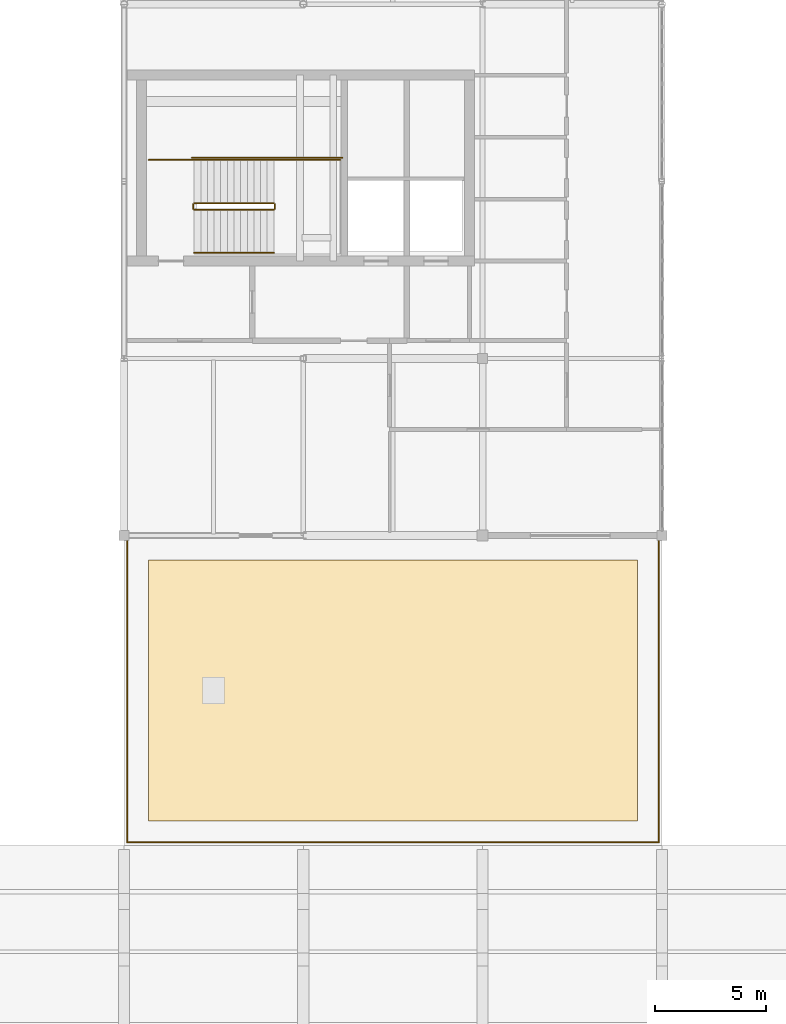
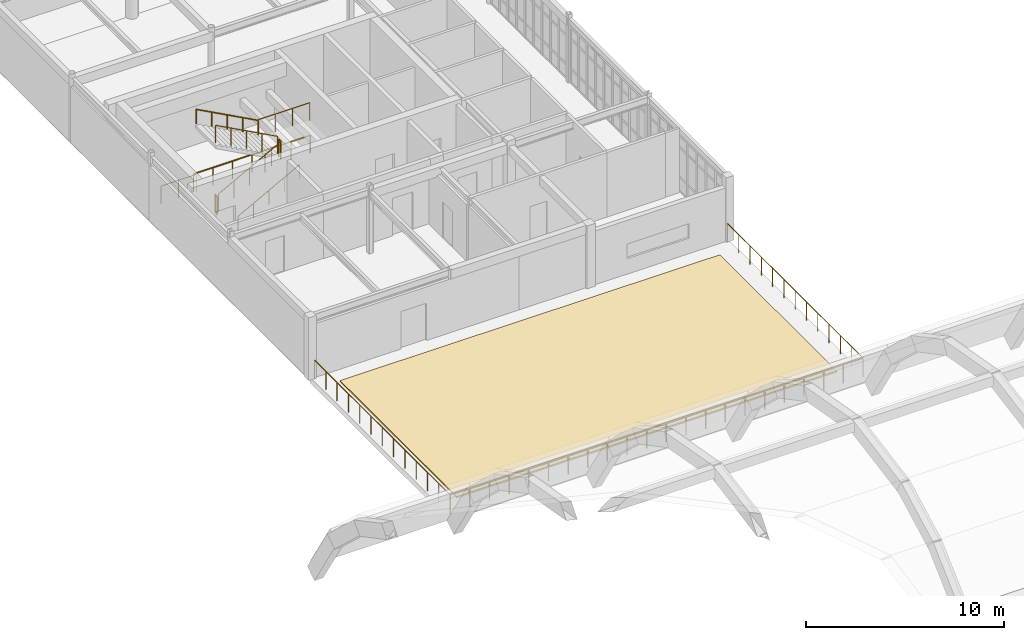
# One storey, part 34 of 36: 12 railings, 1 covering.
"""IFC4 building model written with IfcOpenShell, lengths in metres."""

from ifc_helpers import new_model, si_unit, direction, frame, origin, origin_2d, place, context, subcontext, project, spatial, polyline, circle, outline, extrude, material, layer, layer_set, type_object, element, save


model = new_model("IFC4")

# Units and contexts
model_context = context("Model", 3, precision=1e-05, world=origin(), true_north=direction((0.0, 1.0)))
body_context = subcontext(model_context, "Body", "Model", "MODEL_VIEW")
ifc_project = project(units=[si_unit("LENGTHUNIT", "METRE"), si_unit("AREAUNIT", "SQUARE_METRE"), si_unit("VOLUMEUNIT", "CUBIC_METRE"), si_unit("PLANEANGLEUNIT", "RADIAN"), si_unit("MASSUNIT", "GRAM", prefix="KILO")], contexts=[model_context])

# Site, building, storey
site_placement = place(None, origin())
site = spatial("IfcSite", under=ifc_project, at=site_placement, CompositionType="ELEMENT")
building_placement = place(site_placement, origin())
building = spatial("IfcBuilding", under=site, at=building_placement, Name="Tarnveldt Square Police Headquarters", CompositionType="ELEMENT")
storey_placement = place(building_placement, frame((0.0, 0.0, 24.89990234375)))
storey = spatial("IfcBuildingStorey", under=building, at=storey_placement, Name="L05", CompositionType="ELEMENT", Elevation=24.89990234375)

# Covering
ifc_material_1 = material(Name="Vegetated sedum and EPDM waterproofing roofing assembly", Category="concrete")
ifc_layer = layer(ifc_material_1, 0.080078125)
ifc_layer_set = layer_set([ifc_layer], Name="Vegetated sedum and EPDM waterproofing roofing assembly")
covering_type = type_object("IfcCoveringType", Name="COV-RFG-80", PredefinedType="ROOFING", material=ifc_layer_set)
covering_placement = place(storey_placement, origin())
element("IfcCovering", 1, at=covering_placement, inside=storey, type_object=covering_type, Name="South-West Operations Setback Terrace Planted Roofing Assembly 2", PredefinedType="ROOFING", context=body_context, shape_type="SweptSolid", body=[
    extrude(outline(polyline([(39.39990234375, 35.10009765625), (39.39990234375, 46.89990234375), (17.300048828125, 46.89990234375), (17.300048828125, 35.10009765625), (39.39990234375, 35.10009765625)])), origin(), (0.0, 0.0, 1.0), 0.080078125),
])

# Railings
ifc_material_2 = material(Name="Steel 350W", Category="steel")
railing_type_1 = type_object("IfcRailingType", Name="RL-BAL-1150", PredefinedType="BALUSTRADE", material=ifc_material_2)
railing_1_placement = place(storey_placement, frame((16.340087890625, 34.139892578125, 0.0)))
element("IfcRailing", 2, at=railing_1_placement, inside=storey, type_object=railing_type_1, Name="South-West Operations Setback Terrace Perimeter Guardrail S1", PredefinedType="BALUSTRADE", context=body_context, shape_type="SweptSolid", body=[
    extrude(circle(Radius=0.02392578125, at=origin_2d()), frame((0.0, 0.0, 1.1259765625), z_axis=(1.0, 0.0, 0.0), x_axis=(0.0, 1.0, 0.0)), (0.0, 0.0, 1.0), 24.02001953125),
    extrude(circle(Radius=0.02099609375, at=origin_2d()), origin(), (0.0, 0.0, 1.0), 1.101806640625),
    extrude(circle(Radius=0.02099609375, at=origin_2d()), frame((1.143798828125, 0.0, 0.0)), (0.0, 0.0, 1.0), 1.101806640625),
    extrude(circle(Radius=0.02099609375, at=origin_2d()), frame((2.28759765625, 0.0, 0.0)), (0.0, 0.0, 1.0), 1.101806640625),
    extrude(circle(Radius=0.02099609375, at=origin_2d()), frame((3.431396484375, 0.0, 0.0)), (0.0, 0.0, 1.0), 1.101806640625),
    extrude(circle(Radius=0.02099609375, at=origin_2d()), frame((4.5751953125, 0.0, 0.0)), (0.0, 0.0, 1.0), 1.101806640625),
    extrude(circle(Radius=0.02099609375, at=origin_2d()), frame((5.718994140625, 0.0, 0.0)), (0.0, 0.0, 1.0), 1.101806640625),
    extrude(circle(Radius=0.02099609375, at=origin_2d()), frame((6.86279296875, 0.0, 0.0)), (0.0, 0.0, 1.0), 1.101806640625),
    extrude(circle(Radius=0.02099609375, at=origin_2d()), frame((8.006591796875, 0.0, 0.0)), (0.0, 0.0, 1.0), 1.101806640625),
    extrude(circle(Radius=0.02099609375, at=origin_2d()), frame((9.150390625, 0.0, 0.0)), (0.0, 0.0, 1.0), 1.101806640625),
    extrude(circle(Radius=0.02099609375, at=origin_2d()), frame((10.294189453125, 0.0, 0.0)), (0.0, 0.0, 1.0), 1.101806640625),
    extrude(circle(Radius=0.02099609375, at=origin_2d()), frame((11.43798828125, 0.0, 0.0)), (0.0, 0.0, 1.0), 1.101806640625),
    extrude(circle(Radius=0.02099609375, at=origin_2d()), frame((12.58203125, 0.0, 0.0)), (0.0, 0.0, 1.0), 1.101806640625),
    extrude(circle(Radius=0.02099609375, at=origin_2d()), frame((13.725830078125, 0.0, 0.0)), (0.0, 0.0, 1.0), 1.101806640625),
    extrude(circle(Radius=0.02099609375, at=origin_2d()), frame((14.86962890625, 0.0, 0.0)), (0.0, 0.0, 1.0), 1.101806640625),
    extrude(circle(Radius=0.02099609375, at=origin_2d()), frame((16.013427734375, 0.0, 0.0)), (0.0, 0.0, 1.0), 1.101806640625),
    extrude(circle(Radius=0.02099609375, at=origin_2d()), frame((17.1572265625, 0.0, 0.0)), (0.0, 0.0, 1.0), 1.101806640625),
    extrude(circle(Radius=0.02099609375, at=origin_2d()), frame((18.301025390625, 0.0, 0.0)), (0.0, 0.0, 1.0), 1.101806640625),
    extrude(circle(Radius=0.02099609375, at=origin_2d()), frame((19.44482421875, 0.0, 0.0)), (0.0, 0.0, 1.0), 1.101806640625),
    extrude(circle(Radius=0.02099609375, at=origin_2d()), frame((20.588623046875, 0.0, 0.0)), (0.0, 0.0, 1.0), 1.101806640625),
    extrude(circle(Radius=0.02099609375, at=origin_2d()), frame((21.732421875, 0.0, 0.0)), (0.0, 0.0, 1.0), 1.101806640625),
    extrude(circle(Radius=0.02099609375, at=origin_2d()), frame((22.876220703125, 0.0, 0.0)), (0.0, 0.0, 1.0), 1.101806640625),
    extrude(circle(Radius=0.02099609375, at=origin_2d()), frame((24.02001953125, 0.0, 0.0)), (0.0, 0.0, 1.0), 1.101806640625),
])
railing_2_placement = place(storey_placement, frame((40.360107421875, 34.139892578125, 0.0)))
element("IfcRailing", 3, at=railing_2_placement, inside=storey, type_object=railing_type_1, Name="South-West Operations Setback Terrace Perimeter Guardrail E1", PredefinedType="BALUSTRADE", context=body_context, shape_type="SweptSolid", body=[
    extrude(circle(Radius=0.02392578125, at=origin_2d()), frame((0.0, 0.0, 1.1259765625), z_axis=(0.0, 1.0, 0.0), x_axis=(-1.0, 0.0, 0.0)), (0.0, 0.0, 1.0), 13.66015625),
    extrude(circle(Radius=0.02099609375, at=origin_2d()), origin(), (0.0, 0.0, 1.0), 1.101806640625),
    extrude(circle(Radius=0.02099609375, at=origin_2d()), frame((0.0, 1.138427734375, 0.0)), (0.0, 0.0, 1.0), 1.101806640625),
    extrude(circle(Radius=0.02099609375, at=origin_2d()), frame((0.0, 2.276611328125, 0.0)), (0.0, 0.0, 1.0), 1.101806640625),
    extrude(circle(Radius=0.02099609375, at=origin_2d()), frame((0.0, 3.4150390625, 0.0)), (0.0, 0.0, 1.0), 1.101806640625),
    extrude(circle(Radius=0.02099609375, at=origin_2d()), frame((0.0, 4.553466796875, 0.0)), (0.0, 0.0, 1.0), 1.101806640625),
    extrude(circle(Radius=0.02099609375, at=origin_2d()), frame((0.0, 5.691650390625, 0.0)), (0.0, 0.0, 1.0), 1.101806640625),
    extrude(circle(Radius=0.02099609375, at=origin_2d()), frame((0.0, 6.830078125, 0.0)), (0.0, 0.0, 1.0), 1.101806640625),
    extrude(circle(Radius=0.02099609375, at=origin_2d()), frame((0.0, 7.968505859375, 0.0)), (0.0, 0.0, 1.0), 1.101806640625),
    extrude(circle(Radius=0.02099609375, at=origin_2d()), frame((0.0, 9.106689453125, 0.0)), (0.0, 0.0, 1.0), 1.101806640625),
    extrude(circle(Radius=0.02099609375, at=origin_2d()), frame((0.0, 10.2451171875, 0.0)), (0.0, 0.0, 1.0), 1.101806640625),
    extrude(circle(Radius=0.02099609375, at=origin_2d()), frame((0.0, 11.383544921875, 0.0)), (0.0, 0.0, 1.0), 1.101806640625),
    extrude(circle(Radius=0.02099609375, at=origin_2d()), frame((0.0, 12.521728515625, 0.0)), (0.0, 0.0, 1.0), 1.101806640625),
    extrude(circle(Radius=0.02099609375, at=origin_2d()), frame((0.0, 13.66015625, 0.0)), (0.0, 0.0, 1.0), 1.101806640625),
])
railing_3_placement = place(storey_placement, frame((16.340087890625, 47.800048828125, 0.0)))
element("IfcRailing", 4, at=railing_3_placement, inside=storey, type_object=railing_type_1, Name="South-West Operations Setback Terrace Perimeter Guardrail W1", PredefinedType="BALUSTRADE", context=body_context, shape_type="SweptSolid", body=[
    extrude(circle(Radius=0.02392578125, at=origin_2d()), frame((0.0, 0.0, 1.1259765625), z_axis=(0.0, -1.0, 0.0), x_axis=(1.0, 0.0, 0.0)), (0.0, 0.0, 1.0), 13.66015625),
    extrude(circle(Radius=0.02099609375, at=origin_2d()), origin(), (0.0, 0.0, 1.0), 1.101806640625),
    extrude(circle(Radius=0.02099609375, at=origin_2d()), frame((0.0, -1.138427734375, 0.0)), (0.0, 0.0, 1.0), 1.101806640625),
    extrude(circle(Radius=0.02099609375, at=origin_2d()), frame((0.0, -2.276611328125, 0.0)), (0.0, 0.0, 1.0), 1.101806640625),
    extrude(circle(Radius=0.02099609375, at=origin_2d()), frame((0.0, -3.4150390625, 0.0)), (0.0, 0.0, 1.0), 1.101806640625),
    extrude(circle(Radius=0.02099609375, at=origin_2d()), frame((0.0, -4.553466796875, 0.0)), (0.0, 0.0, 1.0), 1.101806640625),
    extrude(circle(Radius=0.02099609375, at=origin_2d()), frame((0.0, -5.691650390625, 0.0)), (0.0, 0.0, 1.0), 1.101806640625),
    extrude(circle(Radius=0.02099609375, at=origin_2d()), frame((0.0, -6.830078125, 0.0)), (0.0, 0.0, 1.0), 1.101806640625),
    extrude(circle(Radius=0.02099609375, at=origin_2d()), frame((0.0, -7.968505859375, 0.0)), (0.0, 0.0, 1.0), 1.101806640625),
    extrude(circle(Radius=0.02099609375, at=origin_2d()), frame((0.0, -9.106689453125, 0.0)), (0.0, 0.0, 1.0), 1.101806640625),
    extrude(circle(Radius=0.02099609375, at=origin_2d()), frame((0.0, -10.2451171875, 0.0)), (0.0, 0.0, 1.0), 1.101806640625),
    extrude(circle(Radius=0.02099609375, at=origin_2d()), frame((0.0, -11.383544921875, 0.0)), (0.0, 0.0, 1.0), 1.101806640625),
    extrude(circle(Radius=0.02099609375, at=origin_2d()), frame((0.0, -12.521728515625, 0.0)), (0.0, 0.0, 1.0), 1.101806640625),
    extrude(circle(Radius=0.02099609375, at=origin_2d()), frame((0.0, -13.66015625, 0.0)), (0.0, 0.0, 1.0), 1.101806640625),
])
railing_type_2 = type_object("IfcRailingType", Name="RL-GR-1100", PredefinedType="GUARDRAIL", material=ifc_material_2)
railing_4_placement = place(storey_placement, frame((19.3701171875, 62.719970703125, 0.16162109375)))
element("IfcRailing", 5, at=railing_4_placement, inside=storey, type_object=railing_type_2, Name="L05 ST1 stair guard 1", PredefinedType="GUARDRAIL", context=body_context, shape_type="SweptSolid", body=[
    extrude(circle(Radius=0.02392578125, at=origin_2d()), frame((0.0, 0.0, 1.076171875), z_axis=(0.880461512865, 0.0, 0.474117627138), x_axis=(0.0, 1.0, 0.0)), (0.0, 0.0, 1.0), 4.088623046875),
    extrude(circle(Radius=0.02099609375, at=origin_2d()), origin(), (0.0, 0.0, 1.0), 1.052001953125),
    extrude(circle(Radius=0.02099609375, at=origin_2d()), frame((0.89990234375, 0.0, 0.484619140625)), (0.0, 0.0, 1.0), 1.052001953125),
    extrude(circle(Radius=0.02099609375, at=origin_2d()), frame((1.7998046875, 0.0, 0.96923828125)), (0.0, 0.0, 1.0), 1.052001953125),
    extrude(circle(Radius=0.02099609375, at=origin_2d()), frame((2.699951171875, 0.0, 1.453857421875)), (0.0, 0.0, 1.0), 1.052001953125),
    extrude(circle(Radius=0.02099609375, at=origin_2d()), frame((3.599853515625, 0.0, 1.9384765625)), (0.0, 0.0, 1.0), 1.052001953125),
])
railing_5_placement = place(storey_placement, frame((23.02001953125, 62.77001953125, 2.10009765625)))
element("IfcRailing", 6, at=railing_5_placement, inside=storey, type_object=railing_type_2, Name="L05 ST1 stair guard 2", PredefinedType="GUARDRAIL", context=body_context, shape_type="SweptSolid", body=[
    extrude(circle(Radius=0.02392578125, at=origin_2d()), frame((0.0, 0.0, 1.076171875), z_axis=(0.0, 1.0, 0.0), x_axis=(-1.0, 0.0, 0.0)), (0.0, 0.0, 1.0), 0.199951171875),
    extrude(circle(Radius=0.02099609375, at=origin_2d()), origin(), (0.0, 0.0, 1.0), 1.052001953125),
    extrude(circle(Radius=0.02099609375, at=origin_2d()), frame((0.0, 0.199951171875, 0.0)), (0.0, 0.0, 1.0), 1.052001953125),
])
railing_6_placement = place(storey_placement, frame((22.969970703125, 64.969970703125, 2.10009765625)))
element("IfcRailing", 7, at=railing_6_placement, inside=storey, type_object=railing_type_2, Name="L05 ST1 stair guard 3", PredefinedType="GUARDRAIL", context=body_context, shape_type="SweptSolid", body=[
    extrude(circle(Radius=0.02392578125, at=origin_2d()), frame((0.0, 0.0, 1.076171875), z_axis=(1.0, 0.0, 0.0), x_axis=(0.0, 1.0, 0.0)), (0.0, 0.0, 1.0), 3.0),
    extrude(circle(Radius=0.02099609375, at=origin_2d()), origin(), (0.0, 0.0, 1.0), 1.052001953125),
    extrude(circle(Radius=0.02099609375, at=origin_2d()), frame((1.0, 0.0, 0.0)), (0.0, 0.0, 1.0), 1.052001953125),
    extrude(circle(Radius=0.02099609375, at=origin_2d()), frame((2.0, 0.0, 0.0)), (0.0, 0.0, 1.0), 1.052001953125),
    extrude(circle(Radius=0.02099609375, at=origin_2d()), frame((3.0, 0.0, 0.0)), (0.0, 0.0, 1.0), 1.052001953125),
])
railing_7_placement = place(storey_placement, frame((22.969970703125, 63.02001953125, 2.26171875)))
element("IfcRailing", 8, at=railing_7_placement, inside=storey, type_object=railing_type_2, Name="L05 ST1 stair guard 4", PredefinedType="GUARDRAIL", context=body_context, shape_type="SweptSolid", body=[
    extrude(circle(Radius=0.02392578125, at=origin_2d()), frame((0.0, 0.0, 1.076171875), z_axis=(-0.880461512865, 0.0, 0.474117627138), x_axis=(0.0, -1.0, 0.0)), (0.0, 0.0, 1.0), 4.088623046875),
    extrude(circle(Radius=0.02099609375, at=origin_2d()), origin(), (0.0, 0.0, 1.0), 1.052001953125),
    extrude(circle(Radius=0.02099609375, at=origin_2d()), frame((-0.89990234375, 0.0, 0.484619140625)), (0.0, 0.0, 1.0), 1.052001953125),
    extrude(circle(Radius=0.02099609375, at=origin_2d()), frame((-1.7998046875, 0.0, 0.96923828125)), (0.0, 0.0, 1.0), 1.052001953125),
    extrude(circle(Radius=0.02099609375, at=origin_2d()), frame((-2.699951171875, 0.0, 1.453857421875)), (0.0, 0.0, 1.0), 1.052001953125),
    extrude(circle(Radius=0.02099609375, at=origin_2d()), frame((-3.599853515625, 0.0, 1.9384765625)), (0.0, 0.0, 1.0), 1.052001953125),
])
railing_8_placement = place(storey_placement, frame((19.320068359375, 62.77001953125, 0.0)))
element("IfcRailing", 9, at=railing_8_placement, inside=storey, type_object=railing_type_2, Name="L05 ST1 stair guard 5", PredefinedType="GUARDRAIL", context=body_context, shape_type="SweptSolid", body=[
    extrude(circle(Radius=0.02392578125, at=origin_2d()), frame((0.0, 0.0, 1.076171875), z_axis=(0.0, 1.0, 0.0), x_axis=(-1.0, 0.0, 0.0)), (0.0, 0.0, 1.0), 0.199951171875),
    extrude(circle(Radius=0.02099609375, at=origin_2d()), origin(), (0.0, 0.0, 1.0), 1.052001953125),
    extrude(circle(Radius=0.02099609375, at=origin_2d()), frame((0.0, 0.199951171875, 0.0)), (0.0, 0.0, 1.0), 1.052001953125),
])
railing_9_placement = place(storey_placement, frame((17.320068359375, 64.969970703125, 0.0)))
element("IfcRailing", 10, at=railing_9_placement, inside=storey, type_object=railing_type_2, Name="L05 ST1 stair guard 6", PredefinedType="GUARDRAIL", context=body_context, shape_type="SweptSolid", body=[
    extrude(circle(Radius=0.02392578125, at=origin_2d()), frame((0.0, 0.0, 1.076171875), z_axis=(1.0, 0.0, 0.0), x_axis=(0.0, 1.0, 0.0)), (0.0, 0.0, 1.0), 2.050048828125),
    extrude(circle(Radius=0.02099609375, at=origin_2d()), origin(), (0.0, 0.0, 1.0), 1.052001953125),
    extrude(circle(Radius=0.02099609375, at=origin_2d()), frame((1.02490234375, 0.0, 0.0)), (0.0, 0.0, 1.0), 1.052001953125),
    extrude(circle(Radius=0.02099609375, at=origin_2d()), frame((2.050048828125, 0.0, 0.0)), (0.0, 0.0, 1.0), 1.052001953125),
])
railing_10_placement = place(storey_placement, frame((19.27001953125, 65.070068359375, 0.0)))
element("IfcRailing", 11, at=railing_10_placement, inside=storey, type_object=railing_type_2, Name="L05 ST1 stair guard 7", PredefinedType="GUARDRAIL", context=body_context, shape_type="SweptSolid", body=[
    extrude(circle(Radius=0.02392578125, at=origin_2d()), frame((0.0, 0.0, 1.076171875), z_axis=(1.0, 0.0, 0.0), x_axis=(0.0, 1.0, 0.0)), (0.0, 0.0, 1.0), 6.800048828125),
    extrude(circle(Radius=0.02099609375, at=origin_2d()), origin(), (0.0, 0.0, 1.0), 1.052001953125),
    extrude(circle(Radius=0.02099609375, at=origin_2d()), frame((1.13330078125, 0.0, 0.0)), (0.0, 0.0, 1.0), 1.052001953125),
    extrude(circle(Radius=0.02099609375, at=origin_2d()), frame((2.2666015625, 0.0, 0.0)), (0.0, 0.0, 1.0), 1.052001953125),
    extrude(circle(Radius=0.02099609375, at=origin_2d()), frame((3.39990234375, 0.0, 0.0)), (0.0, 0.0, 1.0), 1.052001953125),
    extrude(circle(Radius=0.02099609375, at=origin_2d()), frame((4.533447265625, 0.0, 0.0)), (0.0, 0.0, 1.0), 1.052001953125),
    extrude(circle(Radius=0.02099609375, at=origin_2d()), frame((5.666748046875, 0.0, 0.0)), (0.0, 0.0, 1.0), 1.052001953125),
    extrude(circle(Radius=0.02099609375, at=origin_2d()), frame((6.800048828125, 0.0, 0.0)), (0.0, 0.0, 1.0), 1.052001953125),
])
railing_type_3 = type_object("IfcRailingType", Name="RL-HR-900", PredefinedType="HANDRAIL", material=ifc_material_2)
railing_11_placement = place(storey_placement, frame((19.3701171875, 60.77001953125, 0.16162109375)))
element("IfcRailing", 12, at=railing_11_placement, inside=storey, type_object=railing_type_3, Name="L05 ST1 stair handrail 1", PredefinedType="HANDRAIL", context=body_context, shape_type="SweptSolid", body=[
    extrude(circle(Radius=0.02392578125, at=origin_2d()), frame((0.0, 0.0, 0.8759765625), z_axis=(0.880461512865, 0.0, 0.474117627138), x_axis=(0.0, 1.0, 0.0)), (0.0, 0.0, 1.0), 4.088623046875),
    extrude(circle(Radius=0.02099609375, at=origin_2d()), origin(), (0.0, 0.0, 1.0), 0.851806640625),
    extrude(circle(Radius=0.02099609375, at=origin_2d()), frame((0.89990234375, 0.0, 0.484619140625)), (0.0, 0.0, 1.0), 0.851806640625),
    extrude(circle(Radius=0.02099609375, at=origin_2d()), frame((1.7998046875, 0.0, 0.96923828125)), (0.0, 0.0, 1.0), 0.851806640625),
    extrude(circle(Radius=0.02099609375, at=origin_2d()), frame((2.699951171875, 0.0, 1.453857421875)), (0.0, 0.0, 1.0), 0.851806640625),
    extrude(circle(Radius=0.02099609375, at=origin_2d()), frame((3.599853515625, 0.0, 1.9384765625)), (0.0, 0.0, 1.0), 0.851806640625),
])
railing_12_placement = place(storey_placement, frame((22.969970703125, 64.969970703125, 2.26171875)))
element("IfcRailing", 13, at=railing_12_placement, inside=storey, type_object=railing_type_3, Name="L05 ST1 stair handrail 2", PredefinedType="HANDRAIL", context=body_context, shape_type="SweptSolid", body=[
    extrude(circle(Radius=0.02392578125, at=origin_2d()), frame((0.0, 0.0, 0.8759765625), z_axis=(-0.880461512865, 0.0, 0.474117627138), x_axis=(0.0, -1.0, 0.0)), (0.0, 0.0, 1.0), 4.088623046875),
    extrude(circle(Radius=0.02099609375, at=origin_2d()), origin(), (0.0, 0.0, 1.0), 0.851806640625),
    extrude(circle(Radius=0.02099609375, at=origin_2d()), frame((-0.89990234375, 0.0, 0.484619140625)), (0.0, 0.0, 1.0), 0.851806640625),
    extrude(circle(Radius=0.02099609375, at=origin_2d()), frame((-1.7998046875, 0.0, 0.96923828125)), (0.0, 0.0, 1.0), 0.851806640625),
    extrude(circle(Radius=0.02099609375, at=origin_2d()), frame((-2.699951171875, 0.0, 1.453857421875)), (0.0, 0.0, 1.0), 0.851806640625),
    extrude(circle(Radius=0.02099609375, at=origin_2d()), frame((-3.599853515625, 0.0, 1.9384765625)), (0.0, 0.0, 1.0), 0.851806640625),
])

save(model, "model.ifc")
